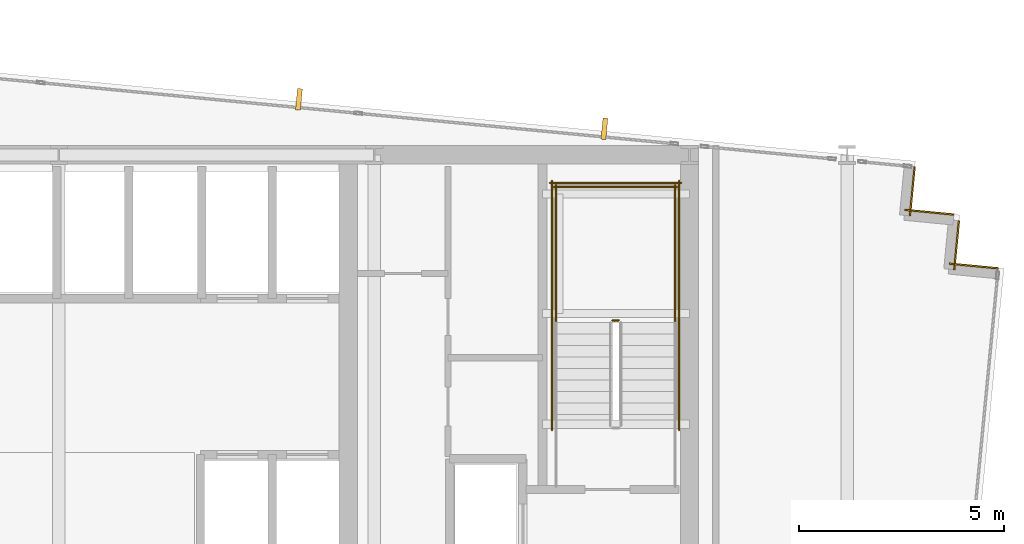
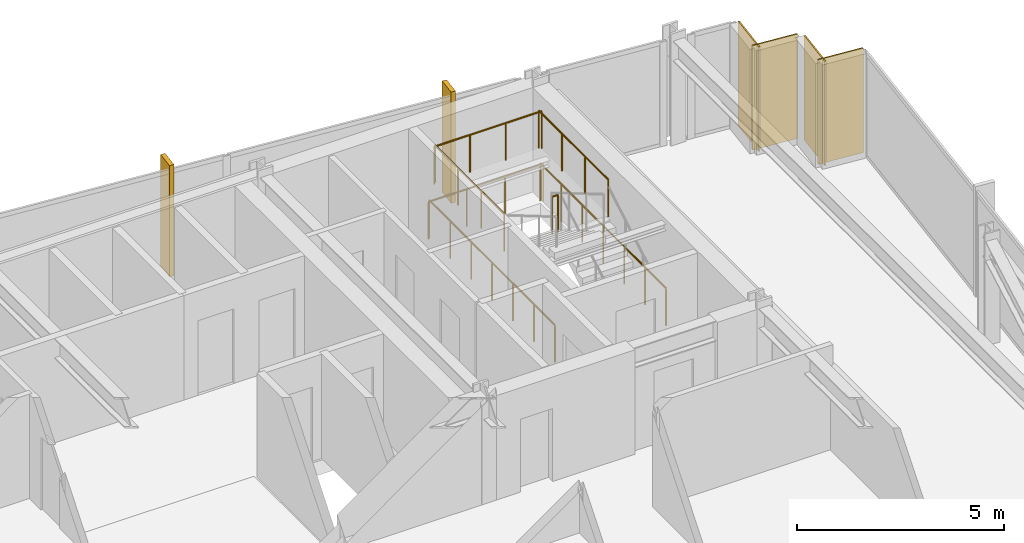
# One storey, part 37 of 37: 7 railings, 4 coverings, 2 shading devices.
"""IFC4 building model written with IfcOpenShell, lengths in metres."""

from ifc_helpers import new_model, si_unit, direction, frame, frame_2d, origin, origin_2d, place, context, subcontext, project, spatial, rectangle, circle, extrude, material, layer, layer_set, type_object, element, save


model = new_model("IFC4")

# Units and contexts
model_context = context("Model", 3, precision=1e-05, world=origin(), true_north=direction((0.0, 1.0)))
body_context = subcontext(model_context, "Body", "Model", "MODEL_VIEW")
ifc_project = project(units=[si_unit("LENGTHUNIT", "METRE"), si_unit("AREAUNIT", "SQUARE_METRE"), si_unit("VOLUMEUNIT", "CUBIC_METRE"), si_unit("PLANEANGLEUNIT", "RADIAN"), si_unit("MASSUNIT", "GRAM", prefix="KILO")], contexts=[model_context])

# Site, building, storey
site_placement = place(None, origin())
site = spatial("IfcSite", under=ifc_project, at=site_placement, CompositionType="ELEMENT")
building_placement = place(site_placement, origin())
building = spatial("IfcBuilding", under=site, at=building_placement, Name="Yelkora Congress Tower", CompositionType="ELEMENT")
storey_placement = place(building_placement, frame((0.0, 0.0, 149.0)))
storey = spatial("IfcBuildingStorey", under=building, at=storey_placement, Name="L40", CompositionType="ELEMENT", Elevation=149.0)

# Coverings
ifc_material_1 = material(Name="Anatolian bush-hammered limestone", Category="masonry")
ifc_layer_1 = layer(ifc_material_1, 0.0400390625)
ifc_layer_set_1 = layer_set([ifc_layer_1], Name="Anatolian bush-hammered limestone")
covering_type = type_object("IfcCoveringType", Name="COV-CLAD-SPANDREL-40", PredefinedType="CLADDING", material=ifc_layer_set_1)
covering_1_placement = place(storey_placement, frame((59.2431640625, 45.909912109375, 0.0), z_axis=(0.0, 0.0, 1.0), x_axis=(-0.095836473879, -0.995397091755, 0.0)))
element("IfcCovering", 1, at=covering_1_placement, inside=storey, type_object=covering_type, Name="L40 Anatolian Limestone Cladding EW-L40-SR11", PredefinedType="CLADDING", context=body_context, shape_type="SweptSolid", body=[
    extrude(rectangle(XDim=1.199951171875, YDim=0.0400390625, at=frame_2d((0.60009765625, 0.0))), origin(), (0.0, 0.0, 1.0), 3.080078125),
])
for number, where, z_axis, x_axis, name in (
    (2, (59.006591796875, 44.86279296875, 0.0), (0.0, 0.0, 1.0), (0.995398960025, -0.095817067274, 0.0), "L40 Anatolian Limestone Cladding EW-L40-SR12"),
    (3, (60.322509765625, 44.6005859375, 0.0), (0.0, 0.0, 1.0), (-0.095817067274, -0.995398960025, 0.0), "L40 Anatolian Limestone Cladding EW-L40-SR13"),
):
    element("IfcCovering", number, at=place(storey_placement, frame(where, z_axis=z_axis, x_axis=x_axis)), inside=storey, type_object=covering_type, Name=name, PredefinedType="CLADDING", context=body_context, shape_type="SweptSolid", body=[
        extrude(rectangle(XDim=1.2001953125, YDim=0.0400390625, at=frame_2d((0.60009765625, 0.0))), origin(), (0.0, 0.0, 1.0), 3.080078125),
    ])
covering_2_placement = place(storey_placement, frame((60.086181640625, 43.55322265625, 0.0), z_axis=(0.0, 0.0, 1.0), x_axis=(0.995397091755, -0.095836473879, 0.0)))
element("IfcCovering", 4, at=covering_2_placement, inside=storey, type_object=covering_type, Name="L40 Anatolian Limestone Cladding EW-L40-SR14", PredefinedType="CLADDING", context=body_context, shape_type="SweptSolid", body=[
    extrude(rectangle(XDim=1.199951171875, YDim=0.0400390625, at=frame_2d((0.60009765625, 0.0))), origin(), (0.0, 0.0, 1.0), 3.080078125),
])

# Railings
ifc_material_2 = material(Name="Painted galvanised steel stair well guard with vertical infill", Category="steel")
ifc_layer_2 = layer(ifc_material_2, 0.06005859375)
ifc_layer_set_2 = layer_set([ifc_layer_2], Name="Painted galvanised steel stair well guard with vertical infill")
railing_type = type_object("IfcRailingType", Name="RAIL-STAIR-GUARD-1120", PredefinedType="GUARDRAIL", material=ifc_layer_set_2)
railing_1_placement = place(storey_placement, frame((52.0400390625, 42.169921875, 1.64990234375)))
element("IfcRailing", 5, at=railing_1_placement, inside=storey, type_object=railing_type, Name="ST-02 L40 Stair Well Guardrail 2", PredefinedType="GUARDRAIL", context=body_context, shape_type="SweptSolid", body=[
    extrude(circle(Radius=0.02392578125, at=origin_2d()), frame((0.0, 0.0, 1.09619140625), z_axis=(-1.0, 0.0, 0.0), x_axis=(0.0, -1.0, 0.0)), (0.0, 0.0, 1.0), 0.16015625),
    extrude(circle(Radius=0.02099609375, at=origin_2d()), origin(), (0.0, 0.0, 1.0), 1.072021484375),
    extrude(circle(Radius=0.02099609375, at=origin_2d()), frame((-0.16015625, 0.0, 0.0)), (0.0, 0.0, 1.0), 1.072021484375),
])
for number, where, name in (
    (6, (53.409912109375, 42.1201171875, 1.64990234375), "ST-02 L40 Stair Well Guardrail 3"),
    (7, (50.510009765625, 42.1201171875, 1.64990234375), "ST-02 L40 Stair Well Guardrail 4"),
):
    element("IfcRailing", number, at=place(storey_placement, frame(where)), inside=storey, type_object=railing_type, Name=name, PredefinedType="GUARDRAIL", context=body_context, shape_type="SweptSolid", body=[
        extrude(circle(Radius=0.02392578125, at=origin_2d()), frame((0.0, 0.0, 1.09619140625), z_axis=(0.0, 1.0, 0.0), x_axis=(-1.0, 0.0, 0.0)), (0.0, 0.0, 1.0), 3.349853515625),
        extrude(circle(Radius=0.02099609375, at=origin_2d()), origin(), (0.0, 0.0, 1.0), 1.072021484375),
        extrude(circle(Radius=0.02099609375, at=origin_2d()), frame((0.0, 1.11669921875, 0.0)), (0.0, 0.0, 1.0), 1.072021484375),
        extrude(circle(Radius=0.02099609375, at=origin_2d()), frame((0.0, 2.233154296875, 0.0)), (0.0, 0.0, 1.0), 1.072021484375),
        extrude(circle(Radius=0.02099609375, at=origin_2d()), frame((0.0, 3.349853515625, 0.0)), (0.0, 0.0, 1.0), 1.072021484375),
    ])
railing_2_placement = place(storey_placement, frame((53.4599609375, 45.419921875, 1.64990234375)))
element("IfcRailing", 8, at=railing_2_placement, inside=storey, type_object=railing_type, Name="ST-02 L40 Stair Well Guardrail 5", PredefinedType="GUARDRAIL", context=body_context, shape_type="SweptSolid", body=[
    extrude(circle(Radius=0.02392578125, at=origin_2d()), frame((0.0, 0.0, 1.09619140625), z_axis=(-1.0, 0.0, 0.0), x_axis=(0.0, -1.0, 0.0)), (0.0, 0.0, 1.0), 3.0),
    extrude(circle(Radius=0.02099609375, at=origin_2d()), origin(), (0.0, 0.0, 1.0), 1.072021484375),
    extrude(circle(Radius=0.02099609375, at=origin_2d()), frame((-1.0, 0.0, 0.0)), (0.0, 0.0, 1.0), 1.072021484375),
    extrude(circle(Radius=0.02099609375, at=origin_2d()), frame((-2.0, 0.0, 0.0)), (0.0, 0.0, 1.0), 1.072021484375),
    extrude(circle(Radius=0.02099609375, at=origin_2d()), frame((-3.0, 0.0, 0.0)), (0.0, 0.0, 1.0), 1.072021484375),
])
for number, where, name in (
    (9, (53.510009765625, 39.5, 0.0), "ST-02 L40 Stair Well Guardrail 10"),
    (10, (50.409912109375, 39.5, 0.0), "ST-02 L40 Stair Well Guardrail 11"),
):
    element("IfcRailing", number, at=place(storey_placement, frame(where)), inside=storey, type_object=railing_type, Name=name, PredefinedType="GUARDRAIL", context=body_context, shape_type="SweptSolid", body=[
        extrude(circle(Radius=0.02392578125, at=origin_2d()), frame((0.0, 0.0, 1.09619140625), z_axis=(0.0, 1.0, 0.0), x_axis=(-1.0, 0.0, 0.0)), (0.0, 0.0, 1.0), 6.070068359375),
        extrude(circle(Radius=0.02099609375, at=origin_2d()), origin(), (0.0, 0.0, 1.0), 1.072021484375),
        extrude(circle(Radius=0.02099609375, at=origin_2d()), frame((0.0, 1.01171875, 0.0)), (0.0, 0.0, 1.0), 1.072021484375),
        extrude(circle(Radius=0.02099609375, at=origin_2d()), frame((0.0, 2.0234375, 0.0)), (0.0, 0.0, 1.0), 1.072021484375),
        extrude(circle(Radius=0.02099609375, at=origin_2d()), frame((0.0, 3.03515625, 0.0)), (0.0, 0.0, 1.0), 1.072021484375),
        extrude(circle(Radius=0.02099609375, at=origin_2d()), frame((0.0, 4.046630859375, 0.0)), (0.0, 0.0, 1.0), 1.072021484375),
        extrude(circle(Radius=0.02099609375, at=origin_2d()), frame((0.0, 5.058349609375, 0.0)), (0.0, 0.0, 1.0), 1.072021484375),
        extrude(circle(Radius=0.02099609375, at=origin_2d()), frame((0.0, 6.070068359375, 0.0)), (0.0, 0.0, 1.0), 1.072021484375),
    ])
railing_3_placement = place(storey_placement, frame((53.56005859375, 45.52001953125, 0.0)))
element("IfcRailing", 11, at=railing_3_placement, inside=storey, type_object=railing_type, Name="ST-02 L40 Stair Well Guardrail 12", PredefinedType="GUARDRAIL", context=body_context, shape_type="SweptSolid", body=[
    extrude(circle(Radius=0.02392578125, at=origin_2d()), frame((0.0, 0.0, 1.09619140625), z_axis=(-1.0, 0.0, 0.0), x_axis=(0.0, -1.0, 0.0)), (0.0, 0.0, 1.0), 3.199951171875),
    extrude(circle(Radius=0.02099609375, at=origin_2d()), origin(), (0.0, 0.0, 1.0), 1.072021484375),
    extrude(circle(Radius=0.02099609375, at=origin_2d()), frame((-1.066650390625, 0.0, 0.0)), (0.0, 0.0, 1.0), 1.072021484375),
    extrude(circle(Radius=0.02099609375, at=origin_2d()), frame((-2.13330078125, 0.0, 0.0)), (0.0, 0.0, 1.0), 1.072021484375),
    extrude(circle(Radius=0.02099609375, at=origin_2d()), frame((-3.199951171875, 0.0, 0.0)), (0.0, 0.0, 1.0), 1.072021484375),
])

# Shading devices
ifc_material_3 = material(Name="Champagne anodised aluminium", Category="aluminium")
ifc_layer_3 = layer(ifc_material_3, 3.300048828125)
ifc_layer_set_3 = layer_set([ifc_layer_3], Name="Champagne anodised aluminium")
shading_device_type = type_object("IfcShadingDeviceType", Name="SHD-FIN-ALU-520", PredefinedType="USERDEFINED", material=ifc_layer_set_3)
for number, where, z_axis, x_axis, name in (
    (12, (44.248291015625, 47.5546875, -0.02978515625), (0.0, 0.0, 1.0), (0.995396198367, -0.09584575252, 0.0), "L40 Vertical Anodised Solar Fin 10-5"),
    (13, (51.68798828125, 46.83837890625, -0.02978515625), (0.0, 0.0, 1.0), (0.995396198367, -0.09584575252, 0.0), "L40 Vertical Anodised Solar Fin 10-6"),
):
    element("IfcShadingDevice", number, at=place(storey_placement, frame(where, z_axis=z_axis, x_axis=x_axis)), inside=storey, type_object=shading_device_type, Name=name, ObjectType="FIN", PredefinedType="USERDEFINED", context=body_context, shape_type="SweptSolid", body=[
        extrude(rectangle(XDim=0.1201171875, YDim=0.52001953125, at=origin_2d()), origin(), (0.0, 0.0, 1.0), 3.280029296875),
    ])

save(model, "model.ifc")
